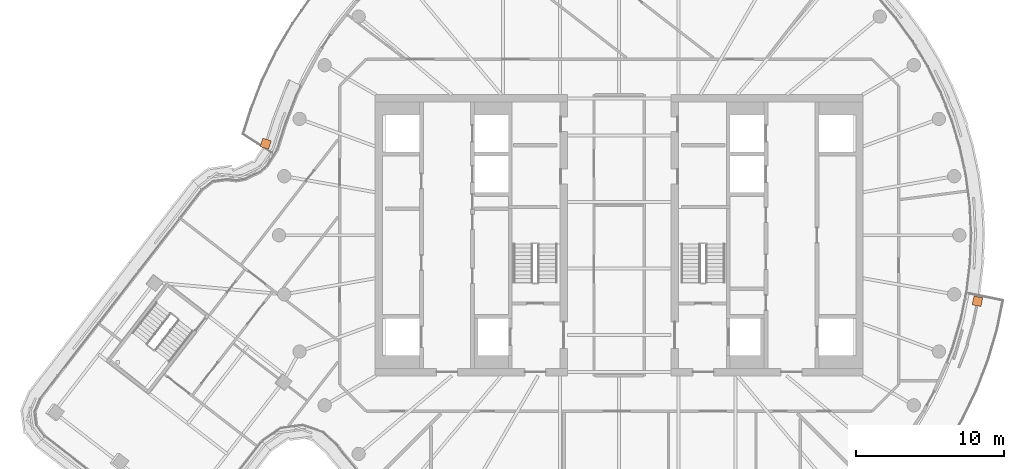
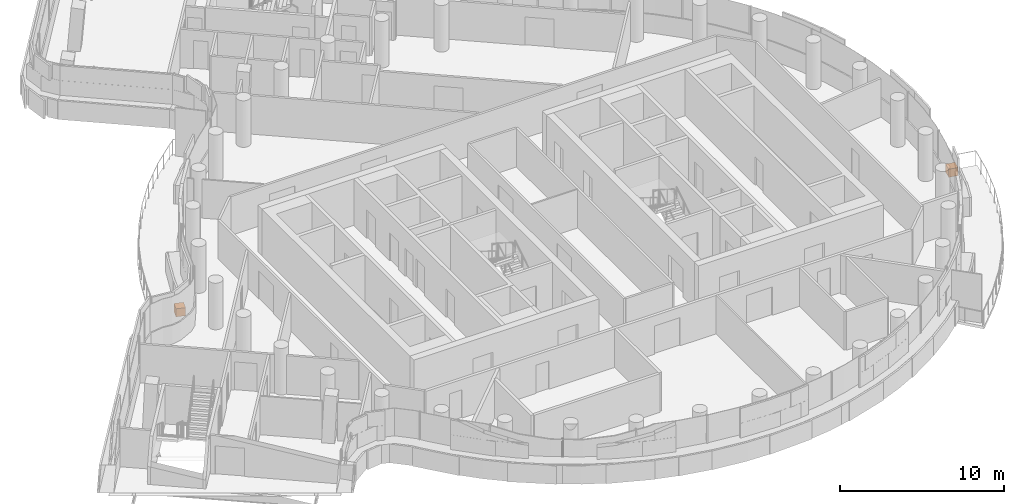
# One storey, part 26 of 26: 2 proxies.
"""IFC4 building model written with IfcOpenShell, lengths in metres."""

from ifc_helpers import new_model, si_unit, direction, frame, origin, origin_2d, place, context, subcontext, project, spatial, rectangle, extrude, material, type_object, element, save


model = new_model("IFC4")

# Units and contexts
model_context = context("Model", 3, precision=1e-05, world=origin(), true_north=direction((0.0, 1.0)))
body_context = subcontext(model_context, "Body", "Model", "MODEL_VIEW")
ifc_project = project(units=[si_unit("LENGTHUNIT", "METRE"), si_unit("AREAUNIT", "SQUARE_METRE"), si_unit("VOLUMEUNIT", "CUBIC_METRE"), si_unit("PLANEANGLEUNIT", "RADIAN"), si_unit("MASSUNIT", "GRAM", prefix="KILO")], contexts=[model_context])

# Site, building, storey
site_placement = place(None, origin())
site = spatial("IfcSite", under=ifc_project, at=site_placement, CompositionType="ELEMENT")
building_placement = place(site_placement, origin())
building = spatial("IfcBuilding", under=site, at=building_placement, Name="Tamarind Cross Interchange Tower", CompositionType="ELEMENT")
storey_placement = place(building_placement, frame((0.0, 0.0, 223.5)))
storey = spatial("IfcBuildingStorey", under=building, at=storey_placement, Name="L56", CompositionType="ELEMENT", Elevation=223.5)

# Proxies
ifc_material = material(Name="Concrete C30", Category="concrete")
building_element_proxy_type = type_object("IfcBuildingElementProxyType", Name="Planter", PredefinedType="USERDEFINED", material=ifc_material)
proxy_1_placement = place(storey_placement, origin())
element("IfcBuildingElementProxy", 1, at=proxy_1_placement, inside=storey, type_object=building_element_proxy_type, Name="PLT-L56-BAL02", ObjectType="Planter", PredefinedType="USERDEFINED", context=body_context, shape_type="SweptSolid", body=[
    extrude(rectangle(XDim=0.60009765625, YDim=0.60009765625, at=origin_2d()), frame((24.222412109375, -4.465087890625, 0.0), z_axis=(0.0, 0.0, 1.0), x_axis=(0.201001463943, 0.9795909409, 0.0)), (0.0, 0.0, 1.0), 0.60009765625),
])
proxy_2_placement = place(storey_placement, origin())
element("IfcBuildingElementProxy", 2, at=proxy_2_placement, inside=storey, type_object=building_element_proxy_type, Name="PLT-L56-BAL06", ObjectType="Planter", PredefinedType="USERDEFINED", context=body_context, shape_type="SweptSolid", body=[
    extrude(rectangle(XDim=0.60009765625, YDim=0.60009765625, at=origin_2d()), frame((-23.9052734375, 6.189208984375, 0.0), z_axis=(0.0, 0.0, 1.0), x_axis=(-0.304537944842, -0.952500204804, 0.0)), (0.0, 0.0, 1.0), 0.60009765625),
])

save(model, "model.ifc")
